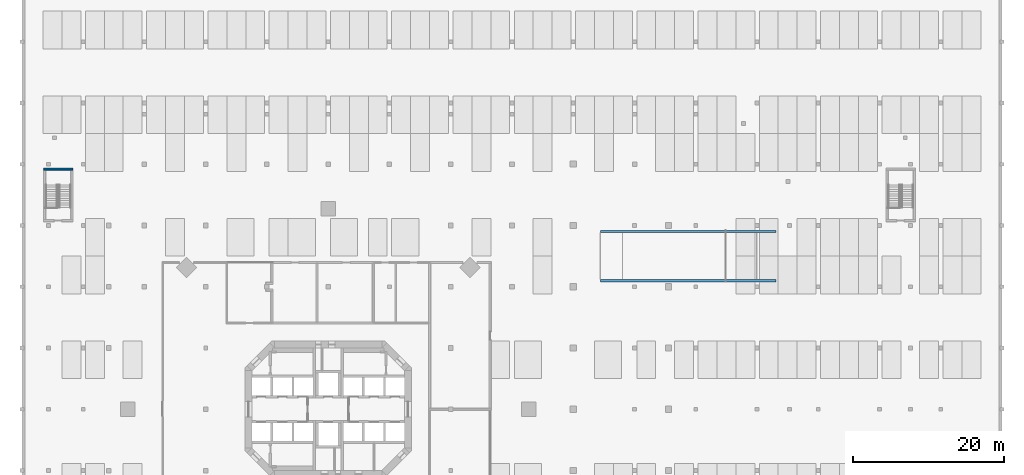
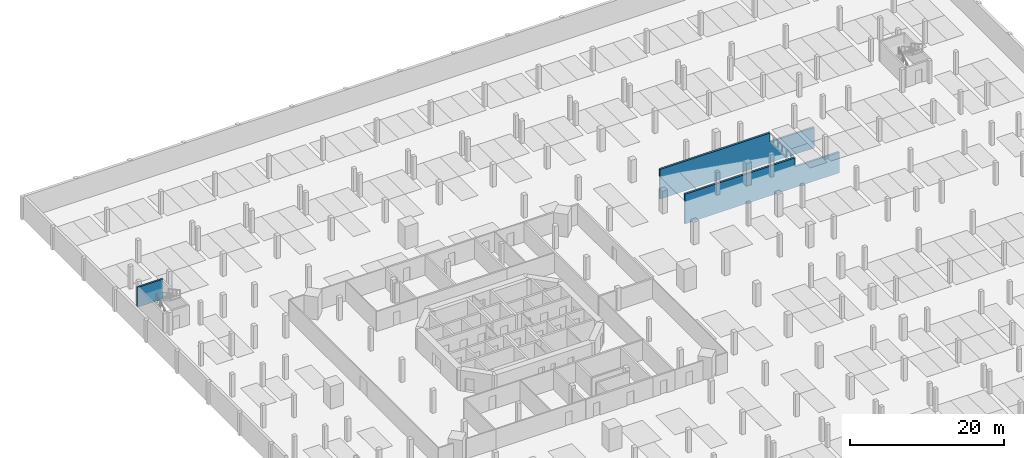
# One storey, part 10 of 14: 3 walls.
"""IFC4 building model written with IfcOpenShell, lengths in metres."""

from ifc_helpers import new_model, si_unit, direction, frame, frame_2d, origin, place, context, subcontext, project, spatial, polyline, rectangle, outline, extrude, material, layer, layer_set, type_object, element, save


model = new_model("IFC4")

# Units and contexts
model_context = context("Model", 3, precision=1e-05, world=origin(), true_north=direction((0.0, 1.0)))
body_context = subcontext(model_context, "Body", "Model", "MODEL_VIEW")
ifc_project = project(units=[si_unit("LENGTHUNIT", "METRE"), si_unit("AREAUNIT", "SQUARE_METRE"), si_unit("VOLUMEUNIT", "CUBIC_METRE"), si_unit("PLANEANGLEUNIT", "RADIAN"), si_unit("MASSUNIT", "GRAM", prefix="KILO")], contexts=[model_context])

# Site, building, storey
site_placement = place(None, origin())
site = spatial("IfcSite", under=ifc_project, at=site_placement, CompositionType="ELEMENT")
building_placement = place(site_placement, origin())
building = spatial("IfcBuilding", under=site, at=building_placement, Name="Torre Triforio", CompositionType="ELEMENT")
storey_placement = place(building_placement, frame((0.0, 0.0, -3.60009765625)))
storey = spatial("IfcBuildingStorey", under=building, at=storey_placement, Name="B1", CompositionType="ELEMENT", Elevation=-3.60009765625)

# Walls
ifc_material = material(Name="Concrete C40", Category="concrete")
ifc_layer_1 = layer(ifc_material, 0.300048828125)
ifc_layer_set_1 = layer_set([ifc_layer_1], Name="Concrete C40")
wall_type_1 = type_object("IfcWallType", Name="Ramp side wall 300", PredefinedType="STANDARD", material=ifc_layer_set_1)
for number, where, z_axis, x_axis, name in (
    (1, (36.0, 17.0, -3.599853515625), (0.0, 0.0, 1.0), (1.0, 0.0, 0.0), "Car ramp B1 to B2 side wall"),
    (2, (36.0, 23.5, -3.599853515625), (0.0, 0.0, 1.0), (1.0, 0.0, 0.0), "Car ramp B1 to B2 side wall"),
):
    element("IfcWall", number, at=place(storey_placement, frame(where, z_axis=z_axis, x_axis=x_axis)), inside=storey, type_object=wall_type_1, Name=name, PredefinedType="STANDARD", context=body_context, shape_type="SweptSolid", body=[
        extrude(outline(polyline([(0.0, 0.0), (23.179931640625, 0.0), (23.179931640625, 3.280029296875), (16.501953125, 3.280029296875), (16.5, 4.699951171875), (0.0, 4.699951171875), (0.0, 0.0)])), frame((0.0, 0.14990234375, 0.0), z_axis=(0.0, -1.0, 0.0), x_axis=(1.0, 0.0, 0.0)), (0.0, 0.0, 1.0), 0.300048828125),
    ])
ifc_layer_2 = layer(ifc_material, 0.25)
ifc_layer_set_2 = layer_set([ifc_layer_2], Name="Concrete C40")
wall_type_2 = type_object("IfcWallType", Name="Stair enclosure wall 250 EI 120", PredefinedType="STANDARD", material=ifc_layer_set_2)
wall_placement = place(storey_placement, frame((-37.625, 31.75, 0.0), z_axis=(0.0, 0.0, 1.0), x_axis=(1.0, 0.0, 0.0)))
element("IfcWall", 3, at=wall_placement, inside=storey, type_object=wall_type_2, Name="Stair enclosure wall B1 006", PredefinedType="STANDARD", context=body_context, shape_type="SweptSolid", body=[
    extrude(rectangle(XDim=3.85009765625, YDim=0.25, at=frame_2d((1.925048828125, 0.0))), origin(), (0.0, 0.0, 1.0), 3.150146484375),
])

save(model, "model.ifc")
